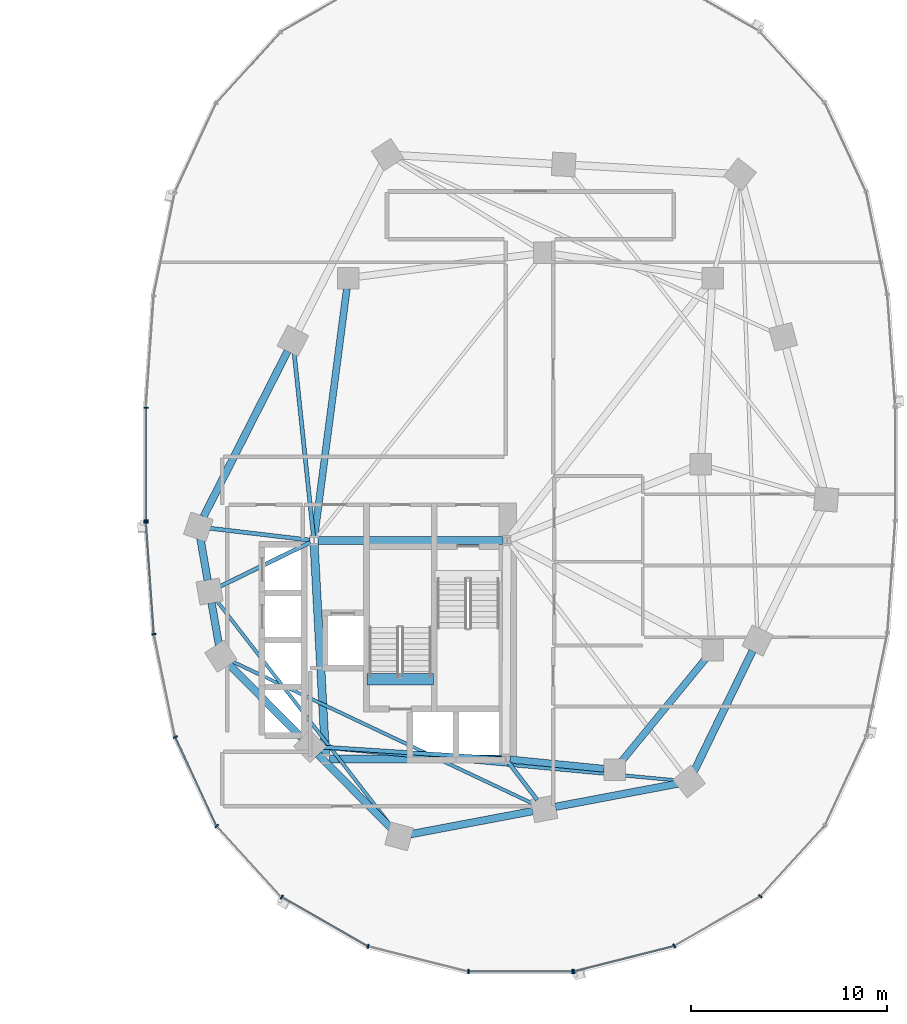
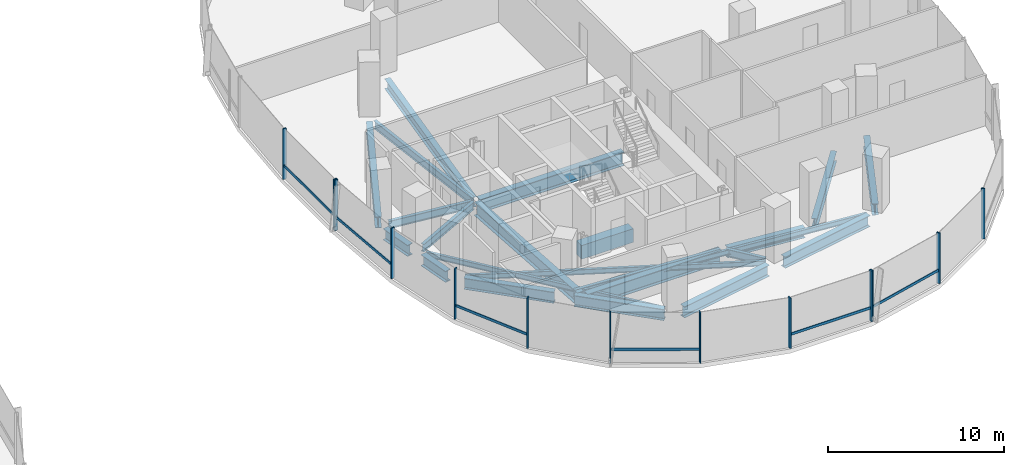
# One storey, part 5 of 21: 23 beams, 19 members, 3 elements without a shape of their own.
"""IFC4 building model written with IfcOpenShell, lengths in metres."""

from ifc_helpers import new_model, si_unit, direction, frame, origin, origin_2d, place, context, subcontext, project, spatial, rectangle, i_section, extrude, material, material_profile, profile_set, type_object, element, aggregate, save


model = new_model("IFC4")

# Units and contexts
model_context = context("Model", 3, precision=1e-05, world=origin(), true_north=direction((0.0, 1.0)))
body_context = subcontext(model_context, "Body", "Model", "MODEL_VIEW")
ifc_project = project(units=[si_unit("LENGTHUNIT", "METRE"), si_unit("AREAUNIT", "SQUARE_METRE"), si_unit("VOLUMEUNIT", "CUBIC_METRE"), si_unit("PLANEANGLEUNIT", "RADIAN"), si_unit("MASSUNIT", "GRAM", prefix="KILO"), si_unit("THERMODYNAMICTEMPERATUREUNIT", "KELVIN"), si_unit("POWERUNIT", "WATT")], contexts=[model_context])

# Site, building, storey
site_placement = place(None, origin())
site = spatial("IfcSite", under=ifc_project, at=site_placement, CompositionType="ELEMENT")
building_placement = place(site_placement, origin())
building = spatial("IfcBuilding", under=site, at=building_placement, Name="Cundina Bronze Exchange", CompositionType="ELEMENT")
storey_placement = place(building_placement, frame((0.0, 0.0, 54.39990234375)))
storey = spatial("IfcBuildingStorey", under=building, at=storey_placement, Name="L13", CompositionType="ELEMENT", Elevation=54.39990234375)

# Beams
ifc_material_1 = material(Name="Concrete C60/75", Category="concrete")
ifc_material_profile_1 = material_profile(ifc_material_1, rectangle(XDim=0.60009765625, YDim=0.949951171875, at=origin_2d()), Name="RC600X950", Category="concrete")
ifc_profile_set_1 = profile_set([ifc_material_profile_1], Name="Concrete C60/75")
beam_type_1 = type_object("IfcBeamType", Name="BM-COUP-RC950", PredefinedType="LINTEL", material=ifc_profile_set_1)
beam_1_placement = place(storey_placement, frame((24.159912109375, -10.97998046875, -0.474853515625), z_axis=(1.0, 0.0, 0.0), x_axis=(0.0, 1.0, 0.0)))
element("IfcBeam", 1, at=beam_1_placement, inside=storey, type_object=beam_type_1, Name="L13 Stair E2 Landing Header Beam", PredefinedType="LINTEL", context=body_context, shape_type="SweptSolid", body=[
    extrude(rectangle(XDim=0.60009765625, YDim=0.949951171875, at=origin_2d()), origin(), (0.0, 0.0, 1.0), 3.400146484375),
])
ifc_material_2 = material(Name="Steel ASTM A992 Grade 50", Category="steel")
ifc_material_profile_2 = material_profile(ifc_material_2, i_section(OverallWidth=0.2099609375, OverallDepth=0.532958984375, WebThickness=0.01025390625, FlangeThickness=0.015625, FilletRadius=0.013916015625, at=origin_2d()), Name="W21X62", Category="steel")
ifc_profile_set_2 = profile_set([ifc_material_profile_2], Name="Steel ASTM A992 Grade 50")
beam_type_2 = type_object("IfcBeamType", Name="BM-FLR-W21B", PredefinedType="BEAM", material=ifc_profile_set_2)
beam_2_placement = place(storey_placement, frame((21.247314453125, -3.8759765625, -0.56640625), z_axis=(-0.993035236117, 0.117817739878, 0.0), x_axis=(-0.117817739878, -0.993035236117, 0.0)))
element("IfcBeam", 2, at=beam_2_placement, inside=storey, type_object=beam_type_2, Name="L13 Leg E Chordal Floor Beam 00", PredefinedType="BEAM", context=body_context, shape_type="SweptSolid", body=[
    extrude(i_section(OverallWidth=0.2099609375, OverallDepth=0.532958984375, WebThickness=0.01025390625, FlangeThickness=0.015625, FilletRadius=0.013916015625, at=origin_2d()), origin(), (0.0, 0.0, 1.0), 5.1494140625),
])
beam_3_placement = place(storey_placement, frame((21.2666015625, -3.989501953125, -0.56640625), z_axis=(-0.898610249448, -0.438747785849, 0.0), x_axis=(0.438747785849, -0.898610249448, 0.0)))
element("IfcBeam", 3, at=beam_3_placement, inside=storey, type_object=beam_type_2, Name="L13 Leg E Chordal Floor Beam 01", PredefinedType="BEAM", context=body_context, shape_type="SweptSolid", body=[
    extrude(i_section(OverallWidth=0.2099609375, OverallDepth=0.532958984375, WebThickness=0.01025390625, FlangeThickness=0.015625, FilletRadius=0.013916015625, at=origin_2d()), origin(), (0.0, 0.0, 1.0), 5.1337890625),
])
beam_4_placement = place(storey_placement, frame((31.04638671875, -15.036865234375, -0.56640625), z_axis=(-0.99789233798, 0.064891307594, 0.0), x_axis=(-0.064891307594, -0.99789233798, 0.0)))
element("IfcBeam", 4, at=beam_4_placement, inside=storey, type_object=beam_type_2, Name="L13 Leg E Chordal Floor Beam 03", PredefinedType="BEAM", context=body_context, shape_type="SweptSolid", body=[
    extrude(i_section(OverallWidth=0.2099609375, OverallDepth=0.532958984375, WebThickness=0.01025390625, FlangeThickness=0.015625, FilletRadius=0.013916015625, at=origin_2d()), origin(), (0.0, 0.0, 1.0), 9.22900390625),
])
beam_5_placement = place(storey_placement, frame((31.373779296875, -15.2119140625, -0.56640625), z_axis=(0.607468844289, -0.794343504548, 0.0), x_axis=(0.794343504548, 0.607468844289, 0.0)))
element("IfcBeam", 5, at=beam_5_placement, inside=storey, type_object=beam_type_2, Name="L13 Leg E Chordal Floor Beam 05", PredefinedType="BEAM", context=body_context, shape_type="SweptSolid", body=[
    extrude(i_section(OverallWidth=0.2099609375, OverallDepth=0.532958984375, WebThickness=0.01025390625, FlangeThickness=0.015625, FilletRadius=0.013916015625, at=origin_2d()), origin(), (0.0, 0.0, 1.0), 2.418212890625),
])
beam_6_placement = place(storey_placement, frame((21.4287109375, -3.697021484375, -0.56640625), z_axis=(-0.10483517787, 0.994489610544, 0.0), x_axis=(-0.994489610544, -0.10483517787, 0.0)))
element("IfcBeam", 6, at=beam_6_placement, inside=storey, type_object=beam_type_2, Name="L13 Leg E Chordal Floor Beam 13", PredefinedType="BEAM", context=body_context, shape_type="SweptSolid", body=[
    extrude(i_section(OverallWidth=0.2099609375, OverallDepth=0.532958984375, WebThickness=0.01025390625, FlangeThickness=0.015625, FilletRadius=0.013916015625, at=origin_2d()), origin(), (0.0, 0.0, 1.0), 9.46435546875),
])
ifc_material_profile_3 = material_profile(ifc_material_2, i_section(OverallWidth=0.172119140625, OverallDepth=0.35791015625, WebThickness=0.0078125, FlangeThickness=0.01318359375, FilletRadius=0.010009765625, at=origin_2d()), Name="W14X38", Category="steel")
ifc_profile_set_3 = profile_set([ifc_material_profile_3], Name="Steel ASTM A992 Grade 50")
beam_type_3 = type_object("IfcBeamType", Name="BM-JST-W14", PredefinedType="JOIST", material=ifc_profile_set_3)
beam_7_placement = place(storey_placement, frame((16.48486328125, -6.965087890625, -0.47900390625), z_axis=(0.612089386305, -0.790788583108, 0.0), x_axis=(0.790788583108, 0.612089386305, 0.0)))
element("IfcBeam", 7, at=beam_7_placement, inside=storey, type_object=beam_type_3, Name="L13 Leg E Lobe Floor Joist 01-04", PredefinedType="JOIST", context=body_context, shape_type="SweptSolid", body=[
    extrude(i_section(OverallWidth=0.172119140625, OverallDepth=0.35791015625, WebThickness=0.0078125, FlangeThickness=0.01318359375, FilletRadius=0.010009765625, at=origin_2d()), origin(), (0.0, 0.0, 1.0), 14.630859375),
])
beam_8_placement = place(storey_placement, frame((17.231689453125, -10.05126953125, -0.47900390625), z_axis=(0.904072668297, -0.427378766949, 0.0), x_axis=(0.427378766949, 0.904072668297, 0.0)))
element("IfcBeam", 8, at=beam_8_placement, inside=storey, type_object=beam_type_3, Name="L13 Leg E Lobe Floor Joist 02-05", PredefinedType="JOIST", context=body_context, shape_type="SweptSolid", body=[
    extrude(i_section(OverallWidth=0.172119140625, OverallDepth=0.35791015625, WebThickness=0.0078125, FlangeThickness=0.01318359375, FilletRadius=0.010009765625, at=origin_2d()), origin(), (0.0, 0.0, 1.0), 17.07470703125),
])
beam_9_placement = place(storey_placement, frame((21.83544921875, -14.45458984375, -0.47900390625), z_axis=(0.995701961644, -0.09261535282, 0.0), x_axis=(0.09261535282, 0.995701961644, 0.0)))
element("IfcBeam", 9, at=beam_9_placement, inside=storey, type_object=beam_type_3, Name="L13 Leg E Lobe Floor Joist 03-06", PredefinedType="JOIST", context=body_context, shape_type="SweptSolid", body=[
    extrude(i_section(OverallWidth=0.172119140625, OverallDepth=0.35791015625, WebThickness=0.0078125, FlangeThickness=0.01318359375, FilletRadius=0.010009765625, at=origin_2d()), origin(), (0.0, 0.0, 1.0), 18.25732421875),
])
ifc_material_profile_4 = material_profile(ifc_material_2, i_section(OverallWidth=0.35498046875, OverallDepth=0.695068359375, WebThickness=0.015380859375, FlangeThickness=0.02490234375, FilletRadius=0.01806640625, at=origin_2d()), Name="W27X146", Category="steel")
ifc_profile_set_4 = profile_set([ifc_material_profile_4], Name="Steel ASTM A992 Grade 50")
beam_type_4 = type_object("IfcBeamType", Name="BM-RING-W27", PredefinedType="USERDEFINED", material=ifc_profile_set_4)
beam_10_placement = place(storey_placement, frame((31.452880859375, -15.070068359375, -0.6474609375), z_axis=(0.995126271817, -0.098608839051, 0.0), x_axis=(0.098608839051, 0.995126271817, 0.0)))
element("IfcBeam", 10, at=beam_10_placement, inside=storey, type_object=beam_type_4, Name="L13 E Inner Structural Ring Girder 01", ObjectType="GIRDER", PredefinedType="USERDEFINED", context=body_context, shape_type="SweptSolid", body=[
    extrude(i_section(OverallWidth=0.35498046875, OverallDepth=0.695068359375, WebThickness=0.015380859375, FlangeThickness=0.02490234375, FilletRadius=0.01806640625, at=origin_2d()), origin(), (0.0, 0.0, 1.0), 4.83544921875),
])
beam_11_placement = place(storey_placement, frame((37.14111328125, -15.183837890625, -0.6474609375), z_axis=(0.633926549035, 0.773393257295, 0.0), x_axis=(-0.773393257295, 0.633926549035, 0.0)))
element("IfcBeam", 11, at=beam_11_placement, inside=storey, type_object=beam_type_4, Name="L13 E Inner Structural Ring Girder 02", ObjectType="GIRDER", PredefinedType="USERDEFINED", context=body_context, shape_type="SweptSolid", body=[
    extrude(i_section(OverallWidth=0.35498046875, OverallDepth=0.695068359375, WebThickness=0.015380859375, FlangeThickness=0.02490234375, FilletRadius=0.01806640625, at=origin_2d()), origin(), (0.0, 0.0, 1.0), 6.811279296875),
])
beam_12_placement = place(storey_placement, frame((23.13037109375, 8.966552734375, -0.6474609375), z_axis=(-0.129507526533, -0.99157843894, 0.0), x_axis=(0.99157843894, -0.129507526533, 0.0)))
element("IfcBeam", 12, at=beam_12_placement, inside=storey, type_object=beam_type_4, Name="L13 E Inner Structural Ring Girder 07", ObjectType="GIRDER", PredefinedType="USERDEFINED", context=body_context, shape_type="SweptSolid", body=[
    extrude(i_section(OverallWidth=0.35498046875, OverallDepth=0.695068359375, WebThickness=0.015380859375, FlangeThickness=0.02490234375, FilletRadius=0.01806640625, at=origin_2d()), origin(), (0.0, 0.0, 1.0), 12.77197265625),
])
ifc_material_profile_5 = material_profile(ifc_material_2, i_section(OverallWidth=0.381103515625, OverallDepth=0.77294921875, WebThickness=0.0166015625, FlangeThickness=0.027099609375, FilletRadius=0.01904296875, at=origin_2d()), Name="W30X173", Category="steel")
ifc_profile_set_5 = profile_set([ifc_material_profile_5], Name="Steel ASTM A992 Grade 50")
beam_type_5 = type_object("IfcBeamType", Name="BM-RING-W30", PredefinedType="USERDEFINED", material=ifc_profile_set_5)
for number, where, z_axis, x_axis, name in (
    (13, (15.65087890625, -3.779296875, -0.6865234375), (0.171734584051, -0.985143254883, 0.0), (0.985143254883, 0.171734584051, 0.0), "L13 E Perimeter Ring Girder 00"),
    (14, (16.225830078125, -7.079345703125, -0.6865234375), (0.171734584051, -0.985143254883, 0.0), (0.985143254883, 0.171734584051, 0.0), "L13 E Perimeter Ring Girder 01"),
):
    element("IfcBeam", number, at=place(storey_placement, frame(where, z_axis=z_axis, x_axis=x_axis)), inside=storey, type_object=beam_type_5, Name=name, ObjectType="GIRDER", PredefinedType="USERDEFINED", context=body_context, shape_type="SweptSolid", body=[
        extrude(i_section(OverallWidth=0.381103515625, OverallDepth=0.77294921875, WebThickness=0.0166015625, FlangeThickness=0.027099609375, FilletRadius=0.01904296875, at=origin_2d()), origin(), (0.0, 0.0, 1.0), 2.173583984375),
    ])
for number, where, z_axis, x_axis, name in (
    (15, (17.113525390625, -10.218017578125, -0.6865234375), (0.703222428859, -0.710969911845, 0.0), (0.710969911845, 0.703222428859, 0.0), "L13 E Perimeter Ring Girder 02"),
    (16, (21.66357421875, -14.818115234375, -0.6865234375), (0.703222428859, -0.710969911845, 0.0), (0.710969911845, 0.703222428859, 0.0), "L13 E Perimeter Ring Girder 03"),
):
    element("IfcBeam", number, at=place(storey_placement, frame(where, z_axis=z_axis, x_axis=x_axis)), inside=storey, type_object=beam_type_5, Name=name, ObjectType="GIRDER", PredefinedType="USERDEFINED", context=body_context, shape_type="SweptSolid", body=[
        extrude(i_section(OverallWidth=0.381103515625, OverallDepth=0.77294921875, WebThickness=0.0166015625, FlangeThickness=0.027099609375, FilletRadius=0.01904296875, at=origin_2d()), origin(), (0.0, 0.0, 1.0), 5.2939453125),
    ])
beam_13_placement = place(storey_placement, frame((26.377685546875, -18.890625, -0.6865234375), z_axis=(0.982570814598, 0.185888661031, 0.0), x_axis=(-0.185888661031, 0.982570814598, 0.0)))
element("IfcBeam", 17, at=beam_13_placement, inside=storey, type_object=beam_type_5, Name="L13 E Perimeter Ring Girder 04", ObjectType="GIRDER", PredefinedType="USERDEFINED", context=body_context, shape_type="SweptSolid", body=[
    extrude(i_section(OverallWidth=0.381103515625, OverallDepth=0.77294921875, WebThickness=0.0166015625, FlangeThickness=0.027099609375, FilletRadius=0.01904296875, at=origin_2d()), origin(), (0.0, 0.0, 1.0), 6.35546875),
])
beam_14_placement = place(storey_placement, frame((33.77783203125, -17.49072265625, -0.6865234375), z_axis=(0.982569487119, 0.185895677686, 0.0), x_axis=(-0.185895677686, 0.982569487119, 0.0)))
element("IfcBeam", 18, at=beam_14_placement, inside=storey, type_object=beam_type_5, Name="L13 E Perimeter Ring Girder 05", ObjectType="GIRDER", PredefinedType="USERDEFINED", context=body_context, shape_type="SweptSolid", body=[
    extrude(i_section(OverallWidth=0.381103515625, OverallDepth=0.77294921875, WebThickness=0.0166015625, FlangeThickness=0.027099609375, FilletRadius=0.01904296875, at=origin_2d()), origin(), (0.0, 0.0, 1.0), 6.355224609375),
])
beam_15_placement = place(storey_placement, frame((40.857177734375, -15.671142578125, -0.6865234375), z_axis=(0.437190698904, 0.899368830231, 0.0), x_axis=(-0.899368830231, 0.437190698904, 0.0)))
element("IfcBeam", 19, at=beam_15_placement, inside=storey, type_object=beam_type_5, Name="L13 E Perimeter Ring Girder 06", ObjectType="GIRDER", PredefinedType="USERDEFINED", context=body_context, shape_type="SweptSolid", body=[
    extrude(i_section(OverallWidth=0.381103515625, OverallDepth=0.77294921875, WebThickness=0.0166015625, FlangeThickness=0.027099609375, FilletRadius=0.01904296875, at=origin_2d()), origin(), (0.0, 0.0, 1.0), 6.82958984375),
])
beam_16_placement = place(storey_placement, frame((20.108642578125, 5.775634765625, -0.6865234375), z_axis=(-0.452819633606, -0.891602141889, 0.0), x_axis=(0.891602141889, -0.452819633606, 0.0)))
element("IfcBeam", 20, at=beam_16_placement, inside=storey, type_object=beam_type_5, Name="L13 E Perimeter Ring Girder 13", ObjectType="GIRDER", PredefinedType="USERDEFINED", context=body_context, shape_type="SweptSolid", body=[
    extrude(i_section(OverallWidth=0.381103515625, OverallDepth=0.77294921875, WebThickness=0.0166015625, FlangeThickness=0.027099609375, FilletRadius=0.01904296875, at=origin_2d()), origin(), (0.0, 0.0, 1.0), 9.47900390625),
])
ifc_material_profile_6 = material_profile(ifc_material_2, i_section(OverallWidth=0.41796875, OverallDepth=0.927001953125, WebThickness=0.019287109375, FlangeThickness=0.031982421875, FilletRadius=0.02392578125, at=origin_2d()), Name="W36X231", Category="steel")
ifc_profile_set_6 = profile_set([ifc_material_profile_6], Name="Steel ASTM A992 Grade 50")
beam_type_6 = type_object("IfcBeamType", Name="BM-WRN-W36B", PredefinedType="USERDEFINED", material=ifc_profile_set_6)
beam_17_placement = place(storey_placement, frame((31.095947265625, -3.89990234375, -0.763427734375), z_axis=(-1.0, 0.0, 0.0), x_axis=(0.0, -1.0, 0.0)))
element("IfcBeam", 21, at=beam_17_placement, inside=storey, type_object=beam_type_6, Name="L13 E Core Perimeter Tie Girder 1", ObjectType="GIRDER", PredefinedType="USERDEFINED", context=body_context, shape_type="SweptSolid", body=[
    extrude(i_section(OverallWidth=0.41796875, OverallDepth=0.927001953125, WebThickness=0.019287109375, FlangeThickness=0.031982421875, FilletRadius=0.02392578125, at=origin_2d()), origin(), (0.0, 0.0, 1.0), 9.44189453125),
])
beam_18_placement = place(storey_placement, frame((21.4609375, -4.103759765625, -0.763427734375), z_axis=(0.053739193498, -0.998555005537, 0.0), x_axis=(0.998555005537, 0.053739193498, 0.0)))
element("IfcBeam", 22, at=beam_18_placement, inside=storey, type_object=beam_type_6, Name="L13 E Core Perimeter Tie Girder 2", ObjectType="GIRDER", PredefinedType="USERDEFINED", context=body_context, shape_type="SweptSolid", body=[
    extrude(i_section(OverallWidth=0.41796875, OverallDepth=0.927001953125, WebThickness=0.019287109375, FlangeThickness=0.031982421875, FilletRadius=0.02392578125, at=origin_2d()), origin(), (0.0, 0.0, 1.0), 10.758056640625),
])
beam_19_placement = place(storey_placement, frame((22.25390625, -15.050048828125, -0.763427734375), z_axis=(1.0, 0.0, 0.0), x_axis=(0.0, 1.0, 0.0)))
element("IfcBeam", 23, at=beam_19_placement, inside=storey, type_object=beam_type_6, Name="L13 E Core Perimeter Tie Girder 3", ObjectType="GIRDER", PredefinedType="USERDEFINED", context=body_context, shape_type="SweptSolid", body=[
    extrude(i_section(OverallWidth=0.41796875, OverallDepth=0.927001953125, WebThickness=0.019287109375, FlangeThickness=0.031982421875, FilletRadius=0.02392578125, at=origin_2d()), origin(), (0.0, 0.0, 1.0), 8.7919921875),
])

# Curtain wall, members
ifc_material_3 = material(Name="Anodised Bronze Aluminium 6063-T6", Category="aluminium")
curtain_wall_type = type_object("IfcCurtainWallType", Name="CWS-TRD-LOW", PredefinedType="NOTDEFINED", material=ifc_material_3)
curtain_wall_1_placement = place(storey_placement, origin())
curtain_wall_1 = element("IfcCurtainWall", 24, at=curtain_wall_1_placement, inside=storey, type_object=curtain_wall_type, Name="L13 CW-02 Curtain Wall Run CWR-L13-E2", PredefinedType="NOTDEFINED")
ifc_material_profile_7 = material_profile(ifc_material_3, rectangle(XDim=0.074951171875, YDim=0.219970703125, at=origin_2d()), Name="AL75X220", Category="aluminium")
ifc_profile_set_7 = profile_set([ifc_material_profile_7], Name="Anodised Bronze Aluminium 6063-T6")
member_type_1 = type_object("IfcMemberType", Name="CWM-MUL-220", PredefinedType="MULLION", material=ifc_profile_set_7)
member_1_placement = place(storey_placement, frame((12.8720703125, 2.880615234375, 0.0), z_axis=(0.0, 0.0, 1.0), x_axis=(0.0, -1.0, 0.0)))
member_1 = element("IfcMember", 25, at=member_1_placement, type_object=member_type_1, Name="CW-02 Mullion 7", PredefinedType="MULLION", context=body_context, shape_type="SweptSolid", body=[
    extrude(rectangle(XDim=0.074951171875, YDim=0.219970703125, at=origin_2d()), origin(), (0.0, 0.0, 1.0), 3.5),
])
member_2_placement = place(storey_placement, frame((12.8720703125, -2.880615234375, 0.0), z_axis=(0.0, 0.0, 1.0), x_axis=(0.0, -1.0, 0.0)))
member_2 = element("IfcMember", 26, at=member_2_placement, type_object=member_type_1, Name="CW-02 End Mullion", PredefinedType="MULLION", context=body_context, shape_type="SweptSolid", body=[
    extrude(rectangle(XDim=0.074951171875, YDim=0.219970703125, at=origin_2d()), origin(), (0.0, 0.0, 1.0), 3.5),
])

curtain_wall_2_placement = place(storey_placement, origin())
curtain_wall_2 = element("IfcCurtainWall", 27, at=curtain_wall_2_placement, inside=storey, type_object=curtain_wall_type, Name="L13 CW-02 Curtain Wall Run CWR-L13-E3", PredefinedType="NOTDEFINED")
member_3_placement = place(storey_placement, frame((12.87548828125, -2.976318359375, 0.0), z_axis=(0.0, 0.0, 1.0), x_axis=(0.070278787473, -0.997527389113, 0.0)))
member_3 = element("IfcMember", 28, at=member_3_placement, type_object=member_type_1, Name="CW-02 Mullion 1", PredefinedType="MULLION", context=body_context, shape_type="SweptSolid", body=[
    extrude(rectangle(XDim=0.074951171875, YDim=0.219970703125, at=origin_2d()), origin(), (0.0, 0.0, 1.0), 3.5),
])
member_4_placement = place(storey_placement, frame((13.282958984375, -8.67822265625, 0.0), z_axis=(0.0, 0.0, 1.0), x_axis=(0.201419845156, -0.979505000486, 0.0)))
member_4 = element("IfcMember", 29, at=member_4_placement, type_object=member_type_1, Name="CW-02 Mullion 2", PredefinedType="MULLION", context=body_context, shape_type="SweptSolid", body=[
    extrude(rectangle(XDim=0.074951171875, YDim=0.219970703125, at=origin_2d()), origin(), (0.0, 0.0, 1.0), 3.5),
])
member_5_placement = place(storey_placement, frame((14.3720703125, -13.931884765625, 0.0), z_axis=(0.0, 0.0, 1.0), x_axis=(0.42087749791, -0.907117485088, 0.0)))
member_5 = element("IfcMember", 30, at=member_5_placement, type_object=member_type_1, Name="CW-02 Mullion 3", PredefinedType="MULLION", context=body_context, shape_type="SweptSolid", body=[
    extrude(rectangle(XDim=0.074951171875, YDim=0.219970703125, at=origin_2d()), origin(), (0.0, 0.0, 1.0), 3.5),
])
member_6_placement = place(storey_placement, frame((16.491455078125, -18.47705078125, 0.0), z_axis=(0.0, 0.0, 1.0), x_axis=(0.674302387584, -0.738455340626, 0.0)))
member_6 = element("IfcMember", 31, at=member_6_placement, type_object=member_type_1, Name="CW-02 Mullion 4", PredefinedType="MULLION", context=body_context, shape_type="SweptSolid", body=[
    extrude(rectangle(XDim=0.074951171875, YDim=0.219970703125, at=origin_2d()), origin(), (0.0, 0.0, 1.0), 3.5),
])
member_7_placement = place(storey_placement, frame((19.810302734375, -22.097412109375, 0.0), z_axis=(0.0, 0.0, 1.0), x_axis=(0.867070701164, -0.498185105339, 0.0)))
member_7 = element("IfcMember", 32, at=member_7_placement, type_object=member_type_1, Name="CW-02 Mullion 5", PredefinedType="MULLION", context=body_context, shape_type="SweptSolid", body=[
    extrude(rectangle(XDim=0.074951171875, YDim=0.219970703125, at=origin_2d()), origin(), (0.0, 0.0, 1.0), 3.5),
])
member_8_placement = place(storey_placement, frame((24.21484375, -24.61669921875, 0.0), z_axis=(0.0, 0.0, 1.0), x_axis=(0.969488149345, -0.245138182011, 0.0)))
member_8 = element("IfcMember", 33, at=member_8_placement, type_object=member_type_1, Name="CW-02 Mullion 6", PredefinedType="MULLION", context=body_context, shape_type="SweptSolid", body=[
    extrude(rectangle(XDim=0.074951171875, YDim=0.219970703125, at=origin_2d()), origin(), (0.0, 0.0, 1.0), 3.5),
])
member_9_placement = place(storey_placement, frame((29.345458984375, -25.905029296875, 0.0), z_axis=(0.0, 0.0, 1.0), x_axis=(1.0, 0.0, 0.0)))
member_9 = element("IfcMember", 34, at=member_9_placement, type_object=member_type_1, Name="CW-02 Mullion 7", PredefinedType="MULLION", context=body_context, shape_type="SweptSolid", body=[
    extrude(rectangle(XDim=0.074951171875, YDim=0.219970703125, at=origin_2d()), origin(), (0.0, 0.0, 1.0), 3.5),
])
member_10_placement = place(storey_placement, frame((34.654541015625, -25.905029296875, 0.0), z_axis=(0.0, 0.0, 1.0), x_axis=(1.0, 0.0, 0.0)))
member_10 = element("IfcMember", 35, at=member_10_placement, type_object=member_type_1, Name="CW-02 End Mullion", PredefinedType="MULLION", context=body_context, shape_type="SweptSolid", body=[
    extrude(rectangle(XDim=0.074951171875, YDim=0.219970703125, at=origin_2d()), origin(), (0.0, 0.0, 1.0), 3.5),
])

curtain_wall_3_placement = place(storey_placement, origin())
curtain_wall_3 = element("IfcCurtainWall", 36, at=curtain_wall_3_placement, inside=storey, type_object=curtain_wall_type, Name="L13 CW-02 Curtain Wall Run CWR-L13-E4", PredefinedType="NOTDEFINED")
member_11_placement = place(storey_placement, frame((34.72607421875, -25.89599609375, 0.0), z_axis=(0.0, 0.0, 1.0), x_axis=(0.969488149345, 0.245138182011, 0.0)))
member_11 = element("IfcMember", 37, at=member_11_placement, type_object=member_type_1, Name="CW-02 Mullion 1", PredefinedType="MULLION", context=body_context, shape_type="SweptSolid", body=[
    extrude(rectangle(XDim=0.074951171875, YDim=0.219970703125, at=origin_2d()), origin(), (0.0, 0.0, 1.0), 3.5),
])
member_12_placement = place(storey_placement, frame((39.848876953125, -24.591064453125, 0.0), z_axis=(0.0, 0.0, 1.0), x_axis=(0.867070701164, 0.498185105339, 0.0)))
member_12 = element("IfcMember", 38, at=member_12_placement, type_object=member_type_1, Name="CW-02 Mullion 2", PredefinedType="MULLION", context=body_context, shape_type="SweptSolid", body=[
    extrude(rectangle(XDim=0.074951171875, YDim=0.219970703125, at=origin_2d()), origin(), (0.0, 0.0, 1.0), 3.5),
])
member_13_placement = place(storey_placement, frame((44.239501953125, -22.0576171875, 0.0), z_axis=(0.0, 0.0, 1.0), x_axis=(0.674302387584, 0.738455340626, 0.0)))
member_13 = element("IfcMember", 39, at=member_13_placement, type_object=member_type_1, Name="CW-02 Mullion 3", PredefinedType="MULLION", context=body_context, shape_type="SweptSolid", body=[
    extrude(rectangle(XDim=0.074951171875, YDim=0.219970703125, at=origin_2d()), origin(), (0.0, 0.0, 1.0), 3.5),
])

# Member
ifc_material_profile_8 = material_profile(ifc_material_3, rectangle(XDim=0.070068359375, YDim=0.179931640625, at=origin_2d()), Name="AL70X180", Category="aluminium")
ifc_profile_set_8 = profile_set([ifc_material_profile_8], Name="Anodised Bronze Aluminium 6063-T6")
member_type_2 = type_object("IfcMemberType", Name="CWM-TRN-180", PredefinedType="USERDEFINED", material=ifc_profile_set_8)
member_14_placement = place(storey_placement, frame((12.8720703125, 2.839111328125, 0.920166015625), z_axis=(0.0, -1.0, 0.0), x_axis=(1.0, 0.0, 0.0)))
member_14 = element("IfcMember", 40, at=member_14_placement, type_object=member_type_2, Name="CW-02 Spandrel Transom 7", ObjectType="TRANSOM", PredefinedType="USERDEFINED", context=body_context, shape_type="SweptSolid", body=[
    extrude(rectangle(XDim=0.070068359375, YDim=0.179931640625, at=origin_2d()), origin(), (0.0, 0.0, 1.0), 5.67822265625),
])

aggregate(curtain_wall_1, [member_1, member_2, member_14])

member_15_placement = place(storey_placement, frame((12.87841796875, -3.017333984375, 0.920166015625), z_axis=(0.070260714471, -0.997528662246, 0.0), x_axis=(0.997528662246, 0.070260714471, 0.0)))
member_15 = element("IfcMember", 41, at=member_15_placement, type_object=member_type_2, Name="CW-02 Spandrel Transom 1", ObjectType="TRANSOM", PredefinedType="USERDEFINED", context=body_context, shape_type="SweptSolid", body=[
    extrude(rectangle(XDim=0.070068359375, YDim=0.179931640625, at=origin_2d()), origin(), (0.0, 0.0, 1.0), 5.629150390625),
])

member_16_placement = place(storey_placement, frame((14.389404296875, -13.96923828125, 0.920166015625), z_axis=(0.420811422796, -0.907148139195, 0.0), x_axis=(0.907148139195, 0.420811422796, 0.0)))
member_16 = element("IfcMember", 42, at=member_16_placement, type_object=member_type_2, Name="CW-02 Spandrel Transom 3", ObjectType="TRANSOM", PredefinedType="USERDEFINED", context=body_context, shape_type="SweptSolid", body=[
    extrude(rectangle(XDim=0.070068359375, YDim=0.179931640625, at=origin_2d()), origin(), (0.0, 0.0, 1.0), 4.95166015625),
])

member_17_placement = place(storey_placement, frame((19.845947265625, -22.117919921875, 0.920166015625), z_axis=(0.867097475651, -0.498138502546, 0.0), x_axis=(0.498138502546, 0.867097475651, 0.0)))
member_17 = element("IfcMember", 43, at=member_17_placement, type_object=member_type_2, Name="CW-02 Spandrel Transom 5", ObjectType="TRANSOM", PredefinedType="USERDEFINED", context=body_context, shape_type="SweptSolid", body=[
    extrude(rectangle(XDim=0.070068359375, YDim=0.179931640625, at=origin_2d()), origin(), (0.0, 0.0, 1.0), 5.00634765625),
])

member_18_placement = place(storey_placement, frame((29.38671875, -25.905029296875, 0.920166015625), z_axis=(1.0, 0.0, 0.0), x_axis=(0.0, 1.0, 0.0)))
member_18 = element("IfcMember", 44, at=member_18_placement, type_object=member_type_2, Name="CW-02 Spandrel Transom 7", ObjectType="TRANSOM", PredefinedType="USERDEFINED", context=body_context, shape_type="SweptSolid", body=[
    extrude(rectangle(XDim=0.070068359375, YDim=0.179931640625, at=origin_2d()), origin(), (0.0, 0.0, 1.0), 5.2265625),
])

aggregate(curtain_wall_2, [member_3, member_15, member_4, member_5, member_16, member_6, member_7, member_17, member_8, member_9, member_10, member_18])

member_19_placement = place(storey_placement, frame((34.76611328125, -25.885986328125, 0.920166015625), z_axis=(0.969483968866, 0.245154714644, 0.0), x_axis=(-0.245154714644, 0.969483968866, 0.0)))
member_19 = element("IfcMember", 45, at=member_19_placement, type_object=member_type_2, Name="CW-02 Spandrel Transom 1", ObjectType="TRANSOM", PredefinedType="USERDEFINED", context=body_context, shape_type="SweptSolid", body=[
    extrude(rectangle(XDim=0.070068359375, YDim=0.179931640625, at=origin_2d()), origin(), (0.0, 0.0, 1.0), 5.21826171875),
])

aggregate(curtain_wall_3, [member_11, member_19, member_12, member_13])

save(model, "model.ifc")
